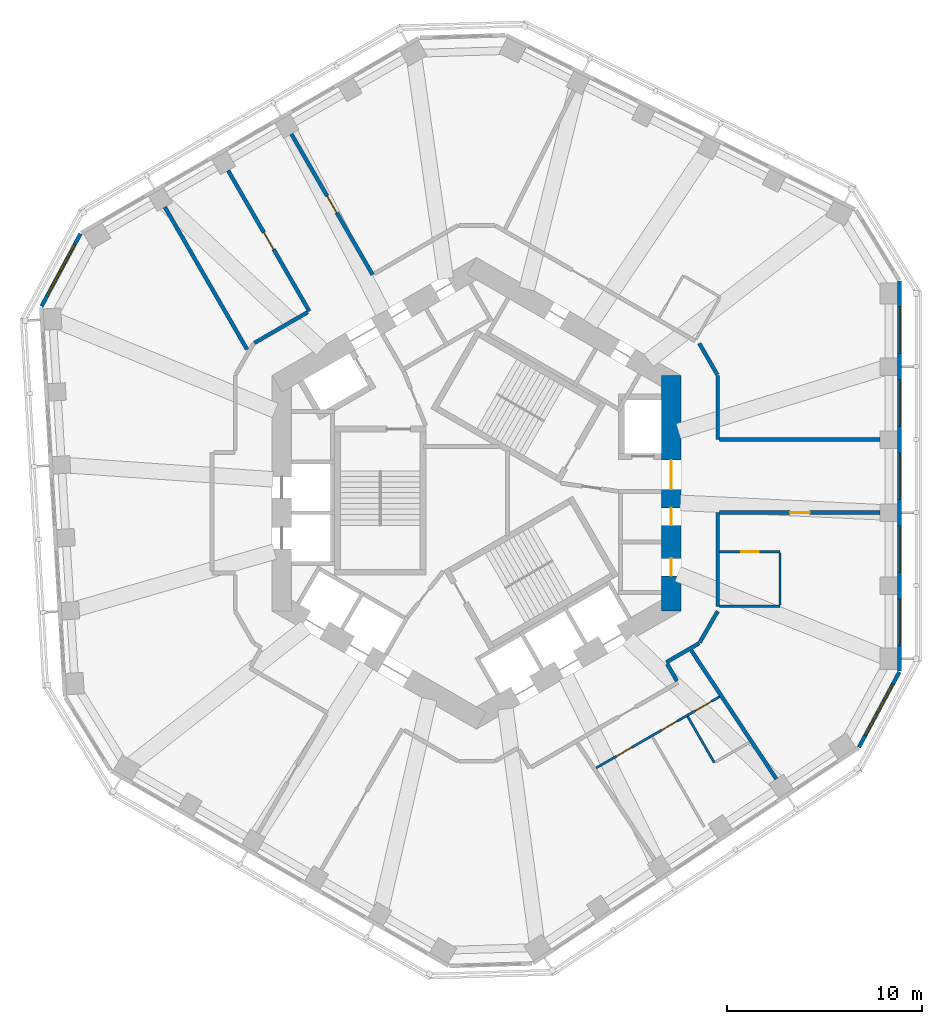
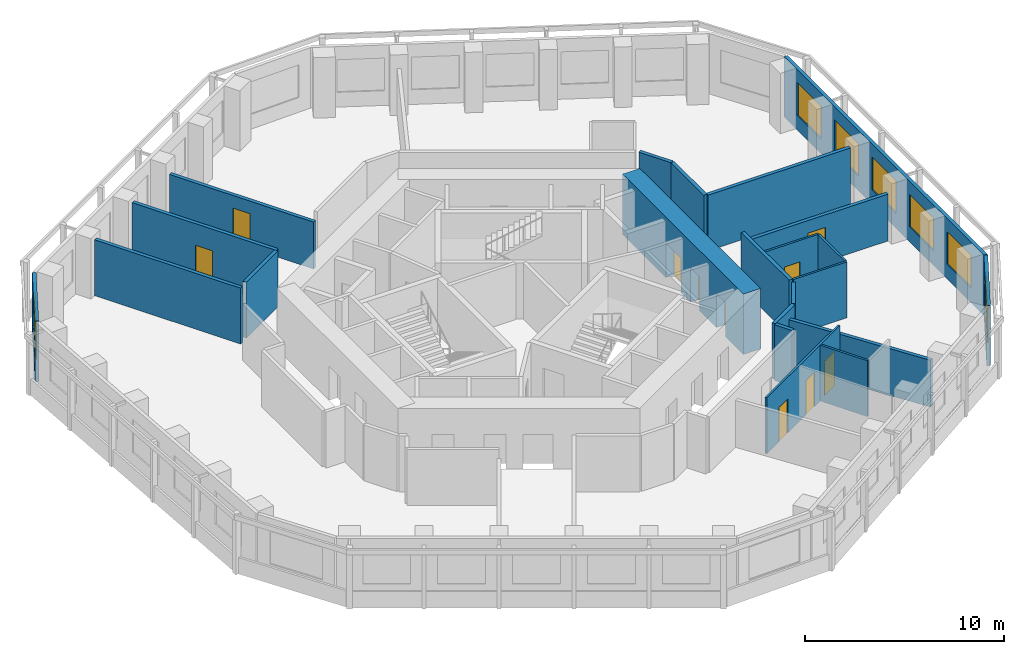
# One storey, part 6 of 10: 22 walls, 10 doors, 7 windows, 17 openings.
"""IFC4 building model written with IfcOpenShell, lengths in metres."""

from ifc_helpers import new_model, si_unit, direction, frame, frame_2d, origin, place, context, subcontext, project, spatial, rectangle, extrude, material, layer, layer_set, type_object, element, fill, save


model = new_model("IFC4")

# Units and contexts
model_context = context("Model", 3, precision=1e-05, world=origin(), true_north=direction((0.0, 1.0)))
body_context = subcontext(model_context, "Body", "Model", "MODEL_VIEW")
ifc_project = project(units=[si_unit("LENGTHUNIT", "METRE"), si_unit("AREAUNIT", "SQUARE_METRE"), si_unit("VOLUMEUNIT", "CUBIC_METRE"), si_unit("PLANEANGLEUNIT", "RADIAN"), si_unit("MASSUNIT", "GRAM", prefix="KILO")], contexts=[model_context])

# Site, building, storey
site_placement = place(None, origin())
site = spatial("IfcSite", under=ifc_project, at=site_placement, CompositionType="ELEMENT")
building_placement = place(site_placement, origin())
building = spatial("IfcBuilding", under=site, at=building_placement, Name="Vanh Sen Convention Tower", CompositionType="ELEMENT")
storey_placement = place(building_placement, frame((0.0, 0.0, 194.699951171875)))
storey = spatial("IfcBuildingStorey", under=building, at=storey_placement, Name="L48", CompositionType="ELEMENT", Elevation=194.699951171875)

# Wall, openings, doors
ifc_material_1 = material(Name="Moisture-resistant gypsum board on steel studs", Category="steel")
ifc_layer_1 = layer(ifc_material_1, 0.1201171875)
ifc_layer_set_1 = layer_set([ifc_layer_1], Name="Moisture-resistant gypsum board on steel studs")
wall_type_1 = type_object("IfcWallType", Name="Bathroom partition 120", PredefinedType="PARTITIONING", material=ifc_layer_set_1)
wall_1_placement = place(storey_placement, frame((6.151611328125, -14.116455078125, 0.0), z_axis=(0.0, 0.0, 1.0), x_axis=(0.866026788224, 0.499997602072, 0.0)))
wall_1 = element("IfcWall", 1, at=wall_1_placement, inside=storey, type_object=wall_type_1, Name="Bathroom partition 120", PredefinedType="PARTITIONING", context=body_context, shape_type="SweptSolid", body=[
    extrude(rectangle(XDim=7.322265625, YDim=0.1201171875, at=frame_2d((3.6611328125, 0.0))), origin(), (0.0, 0.0, 1.0), 3.420166015625),
])
opening_1_placement = place(wall_1_placement, frame((5.85791015625, 0.0, 0.0)))
opening_1 = element("IfcOpeningElement", 2, at=opening_1_placement, cuts=wall_1, Name="Opening D47108", PredefinedType="OPENING", context=body_context, shape_type="SweptSolid", body=[
    extrude(rectangle(XDim=1.0, YDim=2.10009765625, at=frame_2d((0.5, 1.050048828125))), frame((0.0, 0.070068359375, 0.0), z_axis=(0.0, -1.0, 0.0), x_axis=(1.0, 0.0, 0.0)), (0.0, 0.0, 1.0), 0.14013671875),
])
opening_2_placement = place(wall_1_placement, frame((1.199951171875, 0.0, 0.0)))
opening_2 = element("IfcOpeningElement", 3, at=opening_2_placement, cuts=wall_1, Name="Opening D47109", PredefinedType="OPENING", context=body_context, shape_type="SweptSolid", body=[
    extrude(rectangle(XDim=0.89990234375, YDim=2.10009765625, at=frame_2d((0.449951171875, 1.050048828125))), frame((0.0, 0.070068359375, 0.0), z_axis=(0.0, -1.0, 0.0), x_axis=(1.0, 0.0, 0.0)), (0.0, 0.0, 1.0), 0.14013671875),
])
opening_3_placement = place(wall_1_placement, frame((3.896728515625, 0.0, 0.0)))
opening_3 = element("IfcOpeningElement", 4, at=opening_3_placement, cuts=wall_1, Name="Opening D47110", PredefinedType="OPENING", context=body_context, shape_type="SweptSolid", body=[
    extrude(rectangle(XDim=0.89990234375, YDim=2.10009765625, at=frame_2d((0.449951171875, 1.050048828125))), frame((0.0, 0.070068359375, 0.0), z_axis=(0.0, -1.0, 0.0), x_axis=(1.0, 0.0, 0.0)), (0.0, 0.0, 1.0), 0.14013671875),
])
ifc_material_2 = material(Name="Laminate door in steel frame", Category="steel")
door_type_1 = type_object("IfcDoorType", Name="Accessible WC door 1000", OperationType="SINGLE_SWING_LEFT", PredefinedType="DOOR", material=ifc_material_2)
door_1_placement = place(opening_1_placement, origin())
door_1 = element("IfcDoor", 5, at=door_1_placement, inside=storey, type_object=door_type_1, Name="Accessible WC door D47108", OperationType="SINGLE_SWING_LEFT", OverallHeight=2.10009765625, OverallWidth=1.0, PredefinedType="DOOR", context=body_context, shape_type="SweptSolid", body=[
    extrude(rectangle(XDim=1.0, YDim=2.10009765625, at=frame_2d((0.5, 1.050048828125))), frame((0.0, 0.02490234375, 0.0), z_axis=(0.0, -1.0, 0.0), x_axis=(1.0, 0.0, 0.0)), (0.0, 0.0, 1.0), 0.050048828125),
])
fill(opening_1, door_1)
door_type_2 = type_object("IfcDoorType", Name="Room internal door 900", OperationType="SINGLE_SWING_LEFT", PredefinedType="DOOR", material=ifc_material_2)
door_2_placement = place(opening_2_placement, origin())
door_2 = element("IfcDoor", 6, at=door_2_placement, inside=storey, type_object=door_type_2, Name="Internal room door D47109", OperationType="SINGLE_SWING_LEFT", OverallHeight=2.10009765625, OverallWidth=0.89990234375, PredefinedType="DOOR", context=body_context, shape_type="SweptSolid", body=[
    extrude(rectangle(XDim=0.89990234375, YDim=2.10009765625, at=frame_2d((0.449951171875, 1.050048828125))), frame((0.0, 0.02490234375, 0.0), z_axis=(0.0, -1.0, 0.0), x_axis=(1.0, 0.0, 0.0)), (0.0, 0.0, 1.0), 0.050048828125),
])
fill(opening_2, door_2)
door_3_placement = place(opening_3_placement, origin())
door_3 = element("IfcDoor", 7, at=door_3_placement, inside=storey, type_object=door_type_2, Name="Internal room door D47110", OperationType="SINGLE_SWING_LEFT", OverallHeight=2.10009765625, OverallWidth=0.89990234375, PredefinedType="DOOR", context=body_context, shape_type="SweptSolid", body=[
    extrude(rectangle(XDim=0.89990234375, YDim=2.10009765625, at=frame_2d((0.449951171875, 1.050048828125))), frame((0.0, 0.02490234375, 0.0), z_axis=(0.0, -1.0, 0.0), x_axis=(1.0, 0.0, 0.0)), (0.0, 0.0, 1.0), 0.050048828125),
])
fill(opening_3, door_3)

# Wall
wall_2_placement = place(storey_placement, frame((10.8525390625, -11.4716796875, 0.0), z_axis=(0.0, 0.0, 1.0), x_axis=(0.500048966069, -0.865997131366, 0.0)))
element("IfcWall", 8, at=wall_2_placement, inside=storey, type_object=wall_type_1, Name="Bathroom partition 120", PredefinedType="PARTITIONING", context=body_context, shape_type="SweptSolid", body=[
    extrude(rectangle(XDim=2.739990234375, YDim=0.1201171875, at=frame_2d((1.3701171875, 0.0))), origin(), (0.0, 0.0, 1.0), 3.420166015625),
])

# Wall, opening, door
wall_3_placement = place(storey_placement, frame((12.5, -3.01220703125, 0.0), z_axis=(0.0, 0.0, 1.0), x_axis=(1.0, 0.0, 0.0)))
wall_3 = element("IfcWall", 9, at=wall_3_placement, inside=storey, type_object=wall_type_1, Name="Bathroom partition 120", PredefinedType="PARTITIONING", context=body_context, shape_type="SweptSolid", body=[
    extrude(rectangle(XDim=3.10009765625, YDim=0.1201171875, at=frame_2d((1.550048828125, 0.0))), origin(), (0.0, 0.0, 1.0), 3.420166015625),
])
opening_4_placement = place(wall_3_placement, frame((1.10009765625, 0.0, 0.0)))
opening_4 = element("IfcOpeningElement", 10, at=opening_4_placement, cuts=wall_3, Name="Opening D47112", PredefinedType="OPENING", context=body_context, shape_type="SweptSolid", body=[
    extrude(rectangle(XDim=0.89990234375, YDim=2.10009765625, at=frame_2d((0.449951171875, 1.050048828125))), frame((0.0, 0.070068359375, 0.0), z_axis=(0.0, -1.0, 0.0), x_axis=(1.0, 0.0, 0.0)), (0.0, 0.0, 1.0), 0.14013671875),
])
door_4_placement = place(opening_4_placement, origin())
door_4 = element("IfcDoor", 11, at=door_4_placement, inside=storey, type_object=door_type_2, Name="Internal room door D47112", OperationType="SINGLE_SWING_LEFT", OverallHeight=2.10009765625, OverallWidth=0.89990234375, PredefinedType="DOOR", context=body_context, shape_type="SweptSolid", body=[
    extrude(rectangle(XDim=0.89990234375, YDim=2.10009765625, at=frame_2d((0.449951171875, 1.050048828125))), frame((0.0, 0.02490234375, 0.0), z_axis=(0.0, -1.0, 0.0), x_axis=(1.0, 0.0, 0.0)), (0.0, 0.0, 1.0), 0.050048828125),
])
fill(opening_4, door_4)

# Walls
wall_4_placement = place(storey_placement, frame((15.60009765625, -5.812255859375, 0.0), z_axis=(0.0, 0.0, 1.0), x_axis=(-1.0, 0.0, 0.0)))
element("IfcWall", 12, at=wall_4_placement, inside=storey, type_object=wall_type_1, Name="Bathroom partition 120", PredefinedType="PARTITIONING", context=body_context, shape_type="SweptSolid", body=[
    extrude(rectangle(XDim=3.10009765625, YDim=0.1201171875, at=frame_2d((1.550048828125, 0.0))), origin(), (0.0, 0.0, 1.0), 3.420166015625),
])
wall_5_placement = place(storey_placement, frame((15.60009765625, -3.072265625, 0.0), z_axis=(0.0, 0.0, 1.0), x_axis=(0.0, -1.0, 0.0)))
element("IfcWall", 13, at=wall_5_placement, inside=storey, type_object=wall_type_1, Name="Bathroom partition 120", PredefinedType="PARTITIONING", context=body_context, shape_type="SweptSolid", body=[
    extrude(rectangle(XDim=2.679931640625, YDim=0.1201171875, at=frame_2d((1.33984375, 0.0))), origin(), (0.0, 0.0, 1.0), 3.420166015625),
])

# Wall, openings, doors
ifc_material_3 = material(Name="Concrete C80/95", Category="concrete")
ifc_layer_2 = layer(ifc_material_3, 1.0)
ifc_layer_set_2 = layer_set([ifc_layer_2], Name="Concrete C80/95")
wall_type_2 = type_object("IfcWallType", Name="Core outer wall 1000 C80/95", PredefinedType="SHEAR", material=ifc_layer_set_2)
wall_6_placement = place(storey_placement, frame((10.0, -6.062255859375, 0.0), z_axis=(0.0, 0.0, 1.0), x_axis=(0.0, 1.0, 0.0)))
wall_6 = element("IfcWall", 14, at=wall_6_placement, inside=storey, type_object=wall_type_2, Name="Core wall face E L48", PredefinedType="SHEAR", context=body_context, shape_type="SweptSolid", body=[
    extrude(rectangle(XDim=12.12451171875, YDim=1.0, at=frame_2d((6.062255859375, 0.0))), origin(), (0.0, 0.0, 1.0), 3.699951171875),
])
opening_5_placement = place(wall_6_placement, frame((6.26220703125, 0.0, 0.0)))
opening_5 = element("IfcOpeningElement", 15, at=opening_5_placement, cuts=wall_6, Name="Opening D47001", PredefinedType="OPENING", context=body_context, shape_type="SweptSolid", body=[
    extrude(rectangle(XDim=1.5, YDim=2.10009765625, at=frame_2d((0.75, 1.050048828125))), frame((0.0, 0.510009765625, 0.0), z_axis=(0.0, -1.0, 0.0), x_axis=(1.0, 0.0, 0.0)), (0.0, 0.0, 1.0), 1.02001953125),
])
opening_6_placement = place(wall_6_placement, frame((1.812255859375, 0.0, 0.0)))
opening_6 = element("IfcOpeningElement", 16, at=opening_6_placement, cuts=wall_6, Name="Opening D47010", PredefinedType="OPENING", context=body_context, shape_type="SweptSolid", body=[
    extrude(rectangle(XDim=0.89990234375, YDim=2.10009765625, at=frame_2d((0.449951171875, 1.050048828125))), frame((0.0, 0.510009765625, 0.0), z_axis=(0.0, -1.0, 0.0), x_axis=(1.0, 0.0, 0.0)), (0.0, 0.0, 1.0), 1.02001953125),
])
opening_7_placement = place(wall_6_placement, frame((4.412109375, 0.0, 0.0)))
opening_7 = element("IfcOpeningElement", 17, at=opening_7_placement, cuts=wall_6, Name="Opening D47011", PredefinedType="OPENING", context=body_context, shape_type="SweptSolid", body=[
    extrude(rectangle(XDim=0.89990234375, YDim=2.10009765625, at=frame_2d((0.449951171875, 1.050048828125))), frame((0.0, 0.510009765625, 0.0), z_axis=(0.0, -1.0, 0.0), x_axis=(1.0, 0.0, 0.0)), (0.0, 0.0, 1.0), 1.02001953125),
])
ifc_material_4 = material(Name="Steel S355", Category="steel")
door_type_3 = type_object("IfcDoorType", Name="Plant door 900", OperationType="SINGLE_SWING_LEFT", PredefinedType="DOOR", material=ifc_material_4)
door_5_placement = place(opening_6_placement, origin())
door_5 = element("IfcDoor", 18, at=door_5_placement, inside=storey, type_object=door_type_3, Name="Plant door D47010", OperationType="SINGLE_SWING_LEFT", OverallHeight=2.10009765625, OverallWidth=0.89990234375, PredefinedType="DOOR", context=body_context, shape_type="SweptSolid", body=[
    extrude(rectangle(XDim=0.89990234375, YDim=2.10009765625, at=frame_2d((0.449951171875, 1.050048828125))), frame((0.0, 0.02490234375, 0.0), z_axis=(0.0, -1.0, 0.0), x_axis=(1.0, 0.0, 0.0)), (0.0, 0.0, 1.0), 0.050048828125),
])
fill(opening_6, door_5)
door_6_placement = place(opening_7_placement, origin())
door_6 = element("IfcDoor", 19, at=door_6_placement, inside=storey, type_object=door_type_3, Name="Plant door D47011", OperationType="SINGLE_SWING_LEFT", OverallHeight=2.10009765625, OverallWidth=0.89990234375, PredefinedType="DOOR", context=body_context, shape_type="SweptSolid", body=[
    extrude(rectangle(XDim=0.89990234375, YDim=2.10009765625, at=frame_2d((0.449951171875, 1.050048828125))), frame((0.0, 0.02490234375, 0.0), z_axis=(0.0, -1.0, 0.0), x_axis=(1.0, 0.0, 0.0)), (0.0, 0.0, 1.0), 0.050048828125),
])
fill(opening_7, door_6)
door_type_4 = type_object("IfcDoorType", Name="Stair lobby door 1500", OperationType="DOUBLE_DOOR_SINGLE_SWING", PredefinedType="DOOR", material=ifc_material_4)
door_7_placement = place(opening_5_placement, origin())
door_7 = element("IfcDoor", 20, at=door_7_placement, inside=storey, type_object=door_type_4, Name="Stair lobby door D47001", OperationType="DOUBLE_DOOR_SINGLE_SWING", OverallHeight=2.10009765625, OverallWidth=1.5, PredefinedType="DOOR", context=body_context, shape_type="SweptSolid", body=[
    extrude(rectangle(XDim=1.5, YDim=2.10009765625, at=frame_2d((0.75, 1.050048828125))), frame((0.0, 0.02490234375, 0.0), z_axis=(0.0, -1.0, 0.0), x_axis=(1.0, 0.0, 0.0)), (0.0, 0.0, 1.0), 0.050048828125),
])
fill(opening_5, door_7)

# Wall, opening, door
ifc_material_5 = material(Name="Gypsum board on steel studs with mineral wool", Category="steel")
ifc_layer_3 = layer(ifc_material_5, 0.199951171875)
ifc_layer_set_3 = layer_set([ifc_layer_3], Name="Gypsum board on steel studs with mineral wool")
wall_type_3 = type_object("IfcWallType", Name="Corridor partition wall 200", PredefinedType="PARTITIONING", material=ifc_layer_set_3)
wall_7_placement = place(storey_placement, frame((-12.766357421875, 16.58935546875, 0.0), z_axis=(0.0, 0.0, 1.0), x_axis=(0.500010139422, -0.866019549707, 0.0)))
wall_7 = element("IfcWall", 21, at=wall_7_placement, inside=storey, type_object=wall_type_3, Name="Corridor partition wall 200", PredefinedType="PARTITIONING", context=body_context, shape_type="SweptSolid", body=[
    extrude(rectangle(XDim=8.349853515625, YDim=0.199951171875, at=frame_2d((4.1748046875, 0.0))), origin(), (0.0, 0.0, 1.0), 3.420166015625),
])
opening_8_placement = place(wall_7_placement, frame((3.675048828125, 0.0, 0.0)))
opening_8 = element("IfcOpeningElement", 22, at=opening_8_placement, cuts=wall_7, Name="Opening D47104", PredefinedType="OPENING", context=body_context, shape_type="SweptSolid", body=[
    extrude(rectangle(XDim=1.0, YDim=2.10009765625, at=frame_2d((0.5, 1.050048828125))), frame((0.0, 0.10986328125, 0.0), z_axis=(0.0, -1.0, 0.0), x_axis=(1.0, 0.0, 0.0)), (0.0, 0.0, 1.0), 0.219970703125),
])
ifc_material_6 = material(Name="Glazed fire door in steel frame", Category="steel")
door_type_5 = type_object("IfcDoorType", Name="Tenant entrance door 1000", OperationType="SINGLE_SWING_LEFT", PredefinedType="DOOR", material=ifc_material_6)
door_8_placement = place(opening_8_placement, origin())
door_8 = element("IfcDoor", 23, at=door_8_placement, inside=storey, type_object=door_type_5, Name="Tenant suite entrance door D47104", OperationType="SINGLE_SWING_LEFT", OverallHeight=2.10009765625, OverallWidth=1.0, PredefinedType="DOOR", context=body_context, shape_type="SweptSolid", body=[
    extrude(rectangle(XDim=1.0, YDim=2.10009765625, at=frame_2d((0.5, 1.050048828125))), frame((0.0, 0.02490234375, 0.0), z_axis=(0.0, -1.0, 0.0), x_axis=(1.0, 0.0, 0.0)), (0.0, 0.0, 1.0), 0.050048828125),
])
fill(opening_8, door_8)

wall_8_placement = place(storey_placement, frame((-9.51513671875, 18.46630859375, 0.0), z_axis=(0.0, 0.0, 1.0), x_axis=(0.500010139422, -0.866019549707, 0.0)))
wall_8 = element("IfcWall", 24, at=wall_8_placement, inside=storey, type_object=wall_type_3, Name="Corridor partition wall 200", PredefinedType="PARTITIONING", context=body_context, shape_type="SweptSolid", body=[
    extrude(rectangle(XDim=8.349853515625, YDim=0.199951171875, at=frame_2d((4.1748046875, 0.0))), origin(), (0.0, 0.0, 1.0), 2.8701171875),
])
opening_9_placement = place(wall_8_placement, frame((3.675048828125, 0.0, 0.0)))
opening_9 = element("IfcOpeningElement", 25, at=opening_9_placement, cuts=wall_8, Name="Opening D47103", PredefinedType="OPENING", context=body_context, shape_type="SweptSolid", body=[
    extrude(rectangle(XDim=1.0, YDim=2.10009765625, at=frame_2d((0.5, 1.050048828125))), frame((0.0, 0.10986328125, 0.0), z_axis=(0.0, -1.0, 0.0), x_axis=(1.0, 0.0, 0.0)), (0.0, 0.0, 1.0), 0.219970703125),
])
ifc_material_7 = material(Name="Timber fire door in steel frame", Category="steel")
door_type_6 = type_object("IfcDoorType", Name="Floor room door 1000", OperationType="SINGLE_SWING_LEFT", PredefinedType="DOOR", material=ifc_material_7)
door_9_placement = place(opening_9_placement, origin())
door_9 = element("IfcDoor", 26, at=door_9_placement, inside=storey, type_object=door_type_6, Name="Meeting and amenity room door D47103", OperationType="SINGLE_SWING_LEFT", OverallHeight=2.10009765625, OverallWidth=1.0, PredefinedType="DOOR", context=body_context, shape_type="SweptSolid", body=[
    extrude(rectangle(XDim=1.0, YDim=2.10009765625, at=frame_2d((0.5, 1.050048828125))), frame((0.0, 0.02490234375, 0.0), z_axis=(0.0, -1.0, 0.0), x_axis=(1.0, 0.0, 0.0)), (0.0, 0.0, 1.0), 0.050048828125),
])
fill(opening_9, door_9)

# Walls
wall_9_placement = place(storey_placement, frame((-8.677978515625, 9.30810546875, 0.0), z_axis=(0.0, 0.0, 1.0), x_axis=(-0.866000359435, -0.500043375578, 0.0)))
element("IfcWall", 27, at=wall_9_placement, inside=storey, type_object=wall_type_3, Name="Corridor partition wall 200", PredefinedType="PARTITIONING", context=body_context, shape_type="SweptSolid", body=[
    extrude(rectangle(XDim=3.160888671875, YDim=0.199951171875, at=frame_2d((1.58056640625, 0.0))), origin(), (0.0, 0.0, 1.0), 3.420166015625),
])
wall_10_placement = place(storey_placement, frame((9.751708984375, -8.688232421875, 0.0), z_axis=(0.0, 0.0, 1.0), x_axis=(0.865974105138, 0.500088841337, 0.0)))
element("IfcWall", 28, at=wall_10_placement, inside=storey, type_object=wall_type_3, Name="Corridor partition wall 200", PredefinedType="PARTITIONING", context=body_context, shape_type="SweptSolid", body=[
    extrude(rectangle(XDim=1.961181640625, YDim=0.199951171875, at=frame_2d((0.98046875, 0.0))), origin(), (0.0, 0.0, 1.0), 3.420166015625),
])
wall_11_placement = place(storey_placement, frame((10.302001953125, -9.6416015625, 0.0), z_axis=(0.0, 0.0, 1.0), x_axis=(-0.500074377092, 0.865982457891, 0.0)))
element("IfcWall", 29, at=wall_11_placement, inside=storey, type_object=wall_type_3, Name="Corridor partition wall 200", PredefinedType="PARTITIONING", context=body_context, shape_type="SweptSolid", body=[
    extrude(rectangle(XDim=1.000732421875, YDim=0.199951171875, at=frame_2d((0.50048828125, 0.0))), origin(), (0.0, 0.0, 1.0), 3.420166015625),
])
for number, where, z_axis, x_axis, name in (
    (30, (11.469970703125, -7.673095703125, 0.0), (0.0, 0.0, 1.0), (0.499964847546, 0.866045698112, 0.0), "Corridor partition wall 200"),
    (31, (12.3798828125, 6.0966796875, 0.0), (0.0, 0.0, 1.0), (-0.499964847546, 0.866045698112, 0.0), "Corridor partition wall 200"),
):
    element("IfcWall", number, at=place(storey_placement, frame(where, z_axis=z_axis, x_axis=x_axis)), inside=storey, type_object=wall_type_3, Name=name, PredefinedType="PARTITIONING", context=body_context, shape_type="SweptSolid", body=[
        extrude(rectangle(XDim=1.860107421875, YDim=0.199951171875, at=frame_2d((0.93017578125, 0.0))), origin(), (0.0, 0.0, 1.0), 3.420166015625),
    ])
wall_12_placement = place(storey_placement, frame((12.39990234375, -5.812255859375, 0.0), z_axis=(0.0, 0.0, 1.0), x_axis=(0.0, 1.0, 0.0)))
element("IfcWall", 32, at=wall_12_placement, inside=storey, type_object=wall_type_3, Name="Corridor partition wall 200", PredefinedType="PARTITIONING", context=body_context, shape_type="SweptSolid", body=[
    extrude(rectangle(XDim=4.8193359375, YDim=0.199951171875, at=frame_2d((2.40966796875, 0.0))), origin(), (0.0, 0.0, 1.0), 3.420166015625),
])
wall_13_placement = place(storey_placement, frame((12.39990234375, 2.76123046875, 0.0), z_axis=(0.0, 0.0, 1.0), x_axis=(0.0, 1.0, 0.0)))
element("IfcWall", 33, at=wall_13_placement, inside=storey, type_object=wall_type_3, Name="Corridor partition wall 200", PredefinedType="PARTITIONING", context=body_context, shape_type="SweptSolid", body=[
    extrude(rectangle(XDim=3.301025390625, YDim=0.199951171875, at=frame_2d((1.650390625, 0.0))), origin(), (0.0, 0.0, 1.0), 3.420166015625),
])

# Wall, opening, door
wall_14_placement = place(storey_placement, frame((12.5, -0.992919921875, 0.0), z_axis=(0.0, 0.0, 1.0), x_axis=(1.0, 0.0, 0.0)))
wall_14 = element("IfcWall", 34, at=wall_14_placement, inside=storey, type_object=wall_type_3, Name="Corridor partition wall 200", PredefinedType="PARTITIONING", context=body_context, shape_type="SweptSolid", body=[
    extrude(rectangle(XDim=8.25, YDim=0.199951171875, at=frame_2d((4.125, 0.0))), origin(), (0.0, 0.0, 1.0), 2.8701171875),
])
opening_10_placement = place(wall_14_placement, frame((3.625, 0.0, 0.0)))
opening_10 = element("IfcOpeningElement", 35, at=opening_10_placement, cuts=wall_14, Name="Opening D47111", PredefinedType="OPENING", context=body_context, shape_type="SweptSolid", body=[
    extrude(rectangle(XDim=1.0, YDim=2.10009765625, at=frame_2d((0.5, 1.050048828125))), frame((0.0, 0.10986328125, 0.0), z_axis=(0.0, -1.0, 0.0), x_axis=(1.0, 0.0, 0.0)), (0.0, 0.0, 1.0), 0.219970703125),
])
door_10_placement = place(opening_10_placement, origin())
door_10 = element("IfcDoor", 36, at=door_10_placement, inside=storey, type_object=door_type_5, Name="Tenant suite entrance door D47111", OperationType="SINGLE_SWING_LEFT", OverallHeight=2.10009765625, OverallWidth=1.0, PredefinedType="DOOR", context=body_context, shape_type="SweptSolid", body=[
    extrude(rectangle(XDim=1.0, YDim=2.10009765625, at=frame_2d((0.5, 1.050048828125))), frame((0.0, 0.02490234375, 0.0), z_axis=(0.0, -1.0, 0.0), x_axis=(1.0, 0.0, 0.0)), (0.0, 0.0, 1.0), 0.050048828125),
])
fill(opening_10, door_10)

# Wall
wall_15_placement = place(storey_placement, frame((20.75, 2.76123046875, 0.0), z_axis=(0.0, 0.0, 1.0), x_axis=(-1.0, 0.0, 0.0)))
element("IfcWall", 37, at=wall_15_placement, inside=storey, type_object=wall_type_3, Name="Corridor partition wall 200", PredefinedType="PARTITIONING", context=body_context, shape_type="SweptSolid", body=[
    extrude(rectangle(XDim=8.25, YDim=0.199951171875, at=frame_2d((4.125, 0.0))), origin(), (0.0, 0.0, 1.0), 3.420166015625),
])

# Wall, openings, windows
ifc_material_8 = material(Name="Insulated lightweight infill wall")
ifc_layer_4 = layer(ifc_material_8, 0.199951171875)
ifc_layer_set_4 = layer_set([ifc_layer_4], Name="Insulated lightweight infill wall")
wall_type_4 = type_object("IfcWallType", Name="External wall 200", PredefinedType="STANDARD", material=ifc_layer_set_4)
wall_16_placement = place(storey_placement, frame((21.75, -9.138427734375, 0.0), z_axis=(0.0, 0.0, 1.0), x_axis=(0.0, 1.0, 0.0)))
wall_16 = element("IfcWall", 38, at=wall_16_placement, inside=storey, type_object=wall_type_4, Name="External wall E L48", PredefinedType="STANDARD", context=body_context, shape_type="SweptSolid", body=[
    extrude(rectangle(XDim=20.043701171875, YDim=0.199951171875, at=frame_2d((10.02197265625, 0.0))), origin(), (0.0, 0.0, 1.0), 3.699951171875),
])
opening_11_placement = place(wall_16_placement, frame((1.314453125, 0.0, 0.89990234375)))
opening_11 = element("IfcOpeningElement", 39, at=opening_11_placement, cuts=wall_16, Name="Opening WO1-E1", PredefinedType="OPENING", context=body_context, shape_type="SweptSolid", body=[
    extrude(rectangle(XDim=2.39990234375, YDim=2.0, at=frame_2d((1.199951171875, 1.0))), frame((0.0, 0.10986328125, 0.0), z_axis=(0.0, -1.0, 0.0), x_axis=(1.0, 0.0, 0.0)), (0.0, 0.0, 1.0), 0.219970703125),
])
opening_12_placement = place(wall_16_placement, frame((5.068603515625, 0.0, 0.89990234375)))
opening_12 = element("IfcOpeningElement", 40, at=opening_12_placement, cuts=wall_16, Name="Opening WO1-E2", PredefinedType="OPENING", context=body_context, shape_type="SweptSolid", body=[
    extrude(rectangle(XDim=2.39990234375, YDim=2.0, at=frame_2d((1.199951171875, 1.0))), frame((0.0, 0.10986328125, 0.0), z_axis=(0.0, -1.0, 0.0), x_axis=(1.0, 0.0, 0.0)), (0.0, 0.0, 1.0), 0.219970703125),
])
opening_13_placement = place(wall_16_placement, frame((8.82275390625, 0.0, 0.89990234375)))
opening_13 = element("IfcOpeningElement", 41, at=opening_13_placement, cuts=wall_16, Name="Opening WO1-E3", PredefinedType="OPENING", context=body_context, shape_type="SweptSolid", body=[
    extrude(rectangle(XDim=2.39990234375, YDim=2.0, at=frame_2d((1.199951171875, 1.0))), frame((0.0, 0.10986328125, 0.0), z_axis=(0.0, -1.0, 0.0), x_axis=(1.0, 0.0, 0.0)), (0.0, 0.0, 1.0), 0.219970703125),
])
opening_14_placement = place(wall_16_placement, frame((12.576904296875, 0.0, 0.89990234375)))
opening_14 = element("IfcOpeningElement", 42, at=opening_14_placement, cuts=wall_16, Name="Opening WO1-E4", PredefinedType="OPENING", context=body_context, shape_type="SweptSolid", body=[
    extrude(rectangle(XDim=2.39990234375, YDim=2.0, at=frame_2d((1.199951171875, 1.0))), frame((0.0, 0.10986328125, 0.0), z_axis=(0.0, -1.0, 0.0), x_axis=(1.0, 0.0, 0.0)), (0.0, 0.0, 1.0), 0.219970703125),
])
opening_15_placement = place(wall_16_placement, frame((16.330810546875, 0.0, 0.89990234375)))
opening_15 = element("IfcOpeningElement", 43, at=opening_15_placement, cuts=wall_16, Name="Opening WO1-E5", PredefinedType="OPENING", context=body_context, shape_type="SweptSolid", body=[
    extrude(rectangle(XDim=2.39990234375, YDim=2.0, at=frame_2d((1.199951171875, 1.0))), frame((0.0, 0.10986328125, 0.0), z_axis=(0.0, -1.0, 0.0), x_axis=(1.0, 0.0, 0.0)), (0.0, 0.0, 1.0), 0.219970703125),
])
ifc_material_9 = material(Name="Aluminium frame with clear low-emissivity glass", Category="aluminium")
window_type_1 = type_object("IfcWindowType", Name="Office window 2400 x 2000", PartitioningType="SINGLE_PANEL", PredefinedType="WINDOW", material=ifc_material_9)
window_1_placement = place(opening_11_placement, origin())
window_1 = element("IfcWindow", 44, at=window_1_placement, inside=storey, type_object=window_type_1, Name="Window WO1-E1", OverallHeight=2.0, OverallWidth=2.39990234375, PartitioningType="SINGLE_PANEL", PredefinedType="WINDOW", context=body_context, shape_type="SweptSolid", body=[
    extrude(rectangle(XDim=2.39990234375, YDim=2.0, at=frame_2d((1.199951171875, 1.0))), frame((0.0, 0.030029296875, 0.0), z_axis=(0.0, -1.0, 0.0), x_axis=(1.0, 0.0, 0.0)), (0.0, 0.0, 1.0), 0.06005859375),
])
fill(opening_11, window_1)
window_2_placement = place(opening_12_placement, origin())
window_2 = element("IfcWindow", 45, at=window_2_placement, inside=storey, type_object=window_type_1, Name="Window WO1-E2", OverallHeight=2.0, OverallWidth=2.39990234375, PartitioningType="SINGLE_PANEL", PredefinedType="WINDOW", context=body_context, shape_type="SweptSolid", body=[
    extrude(rectangle(XDim=2.39990234375, YDim=2.0, at=frame_2d((1.199951171875, 1.0))), frame((0.0, 0.030029296875, 0.0), z_axis=(0.0, -1.0, 0.0), x_axis=(1.0, 0.0, 0.0)), (0.0, 0.0, 1.0), 0.06005859375),
])
fill(opening_12, window_2)
window_3_placement = place(opening_13_placement, origin())
window_3 = element("IfcWindow", 46, at=window_3_placement, inside=storey, type_object=window_type_1, Name="Window WO1-E3", OverallHeight=2.0, OverallWidth=2.39990234375, PartitioningType="SINGLE_PANEL", PredefinedType="WINDOW", context=body_context, shape_type="SweptSolid", body=[
    extrude(rectangle(XDim=2.39990234375, YDim=2.0, at=frame_2d((1.199951171875, 1.0))), frame((0.0, 0.030029296875, 0.0), z_axis=(0.0, -1.0, 0.0), x_axis=(1.0, 0.0, 0.0)), (0.0, 0.0, 1.0), 0.06005859375),
])
fill(opening_13, window_3)
window_4_placement = place(opening_14_placement, origin())
window_4 = element("IfcWindow", 47, at=window_4_placement, inside=storey, type_object=window_type_1, Name="Window WO1-E4", OverallHeight=2.0, OverallWidth=2.39990234375, PartitioningType="SINGLE_PANEL", PredefinedType="WINDOW", context=body_context, shape_type="SweptSolid", body=[
    extrude(rectangle(XDim=2.39990234375, YDim=2.0, at=frame_2d((1.199951171875, 1.0))), frame((0.0, 0.030029296875, 0.0), z_axis=(0.0, -1.0, 0.0), x_axis=(1.0, 0.0, 0.0)), (0.0, 0.0, 1.0), 0.06005859375),
])
fill(opening_14, window_4)
window_5_placement = place(opening_15_placement, origin())
window_5 = element("IfcWindow", 48, at=window_5_placement, inside=storey, type_object=window_type_1, Name="Window WO1-E5", OverallHeight=2.0, OverallWidth=2.39990234375, PartitioningType="SINGLE_PANEL", PredefinedType="WINDOW", context=body_context, shape_type="SweptSolid", body=[
    extrude(rectangle(XDim=2.39990234375, YDim=2.0, at=frame_2d((1.199951171875, 1.0))), frame((0.0, 0.030029296875, 0.0), z_axis=(0.0, -1.0, 0.0), x_axis=(1.0, 0.0, 0.0)), (0.0, 0.0, 1.0), 0.06005859375),
])
fill(opening_15, window_5)

# Wall, opening, window
wall_17_placement = place(storey_placement, frame((-20.357421875, 13.343994140625, 0.0), z_axis=(0.0, 0.0, 1.0), x_axis=(-0.473288913494, -0.880907262068, 0.0)))
wall_17 = element("IfcWall", 49, at=wall_17_placement, inside=storey, type_object=wall_type_4, Name="External wall CH3 L48", PredefinedType="STANDARD", context=body_context, shape_type="SweptSolid", body=[
    extrude(rectangle(XDim=4.238037109375, YDim=0.199951171875, at=frame_2d((2.119140625, 0.0))), origin(), (0.0, 0.0, 1.0), 3.699951171875),
])
opening_16_placement = place(wall_17_placement, frame((0.619140625, 0.0, 0.89990234375)))
opening_16 = element("IfcOpeningElement", 50, at=opening_16_placement, cuts=wall_17, Name="Opening WO2-CH31", PredefinedType="OPENING", context=body_context, shape_type="SweptSolid", body=[
    extrude(rectangle(XDim=3.0, YDim=2.0, at=frame_2d((1.5, 1.0))), frame((0.0, 0.10986328125, 0.0), z_axis=(0.0, -1.0, 0.0), x_axis=(1.0, 0.0, 0.0)), (0.0, 0.0, 1.0), 0.219970703125),
])
window_type_2 = type_object("IfcWindowType", Name="Office window 3000 x 2000", PartitioningType="SINGLE_PANEL", PredefinedType="WINDOW", material=ifc_material_9)
window_6_placement = place(opening_16_placement, origin())
window_6 = element("IfcWindow", 51, at=window_6_placement, inside=storey, type_object=window_type_2, Name="Window WO2-CH31", OverallHeight=2.0, OverallWidth=3.0, PartitioningType="SINGLE_PANEL", PredefinedType="WINDOW", context=body_context, shape_type="SweptSolid", body=[
    extrude(rectangle(XDim=3.0, YDim=2.0, at=frame_2d((1.5, 1.0))), frame((0.0, 0.030029296875, 0.0), z_axis=(0.0, -1.0, 0.0), x_axis=(1.0, 0.0, 0.0)), (0.0, 0.0, 1.0), 0.06005859375),
])
fill(opening_16, window_6)

wall_18_placement = place(storey_placement, frame((19.657958984375, -13.05712890625, 0.0), z_axis=(0.0, 0.0, 1.0), x_axis=(0.473307879841, 0.880897071672, 0.0)))
wall_18 = element("IfcWall", 52, at=wall_18_placement, inside=storey, type_object=wall_type_4, Name="External wall CH6 L48", PredefinedType="STANDARD", context=body_context, shape_type="SweptSolid", body=[
    extrude(rectangle(XDim=4.394775390625, YDim=0.199951171875, at=frame_2d((2.197265625, 0.0))), origin(), (0.0, 0.0, 1.0), 3.699951171875),
])
opening_17_placement = place(wall_18_placement, frame((0.697509765625, 0.0, 0.89990234375)))
opening_17 = element("IfcOpeningElement", 53, at=opening_17_placement, cuts=wall_18, Name="Opening WO2-CH61", PredefinedType="OPENING", context=body_context, shape_type="SweptSolid", body=[
    extrude(rectangle(XDim=3.0, YDim=2.0, at=frame_2d((1.5, 1.0))), frame((0.0, 0.10986328125, 0.0), z_axis=(0.0, -1.0, 0.0), x_axis=(1.0, 0.0, 0.0)), (0.0, 0.0, 1.0), 0.219970703125),
])
window_7_placement = place(opening_17_placement, origin())
window_7 = element("IfcWindow", 54, at=window_7_placement, inside=storey, type_object=window_type_2, Name="Window WO2-CH61", OverallHeight=2.0, OverallWidth=3.0, PartitioningType="SINGLE_PANEL", PredefinedType="WINDOW", context=body_context, shape_type="SweptSolid", body=[
    extrude(rectangle(XDim=3.0, YDim=2.0, at=frame_2d((1.5, 1.0))), frame((0.0, 0.030029296875, 0.0), z_axis=(0.0, -1.0, 0.0), x_axis=(1.0, 0.0, 0.0)), (0.0, 0.0, 1.0), 0.06005859375),
])
fill(opening_17, window_7)

# Walls
ifc_layer_5 = layer(ifc_material_5, 0.199951171875)
ifc_layer_set_5 = layer_set([ifc_layer_5], Name="Gypsum board on steel studs with mineral wool")
wall_type_5 = type_object("IfcWallType", Name="Tenant suite wall 200", PredefinedType="PARTITIONING", material=ifc_layer_set_5)
wall_19_placement = place(storey_placement, frame((-16.017578125, 14.71240234375, 0.0), z_axis=(0.0, 0.0, 1.0), x_axis=(0.500000843414, -0.866024916838, 0.0)))
element("IfcWall", 55, at=wall_19_placement, inside=storey, type_object=wall_type_5, Name="Tenant suite wall 200", PredefinedType="PARTITIONING", context=body_context, shape_type="SweptSolid", body=[
    extrude(rectangle(XDim=8.45166015625, YDim=0.199951171875, at=frame_2d((4.225830078125, 0.0))), origin(), (0.0, 0.0, 1.0), 3.420166015625),
])
wall_20_placement = place(storey_placement, frame((15.410888671875, -14.68310546875, 0.0), z_axis=(0.0, 0.0, 1.0), x_axis=(-0.551932106251, 0.833889051427, 0.0)))
element("IfcWall", 56, at=wall_20_placement, inside=storey, type_object=wall_type_5, Name="Tenant suite wall 200", PredefinedType="PARTITIONING", context=body_context, shape_type="SweptSolid", body=[
    extrude(rectangle(XDim=7.92626953125, YDim=0.199951171875, at=frame_2d((3.963134765625, 0.0))), origin(), (0.0, 0.0, 1.0), 2.8701171875),
])

save(model, "model.ifc")
